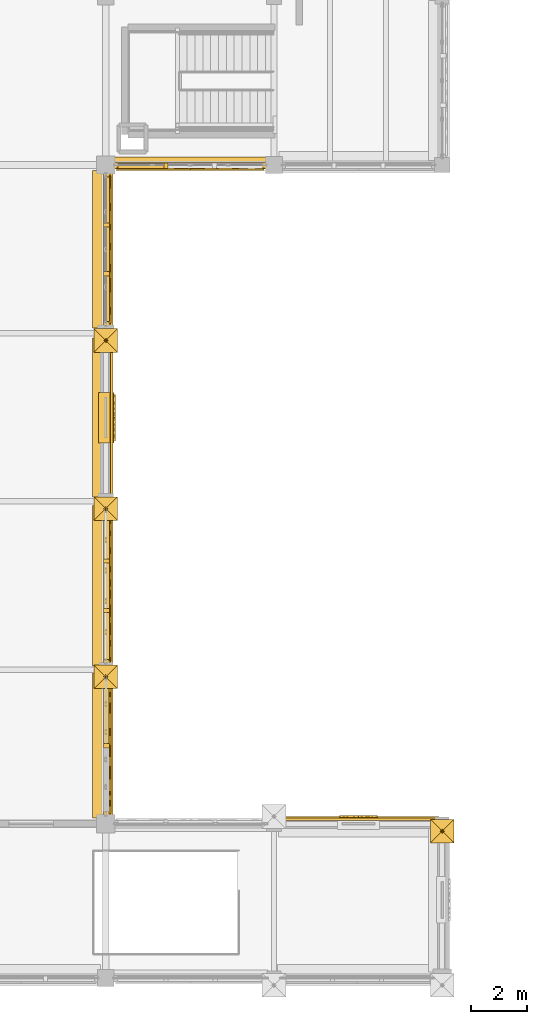
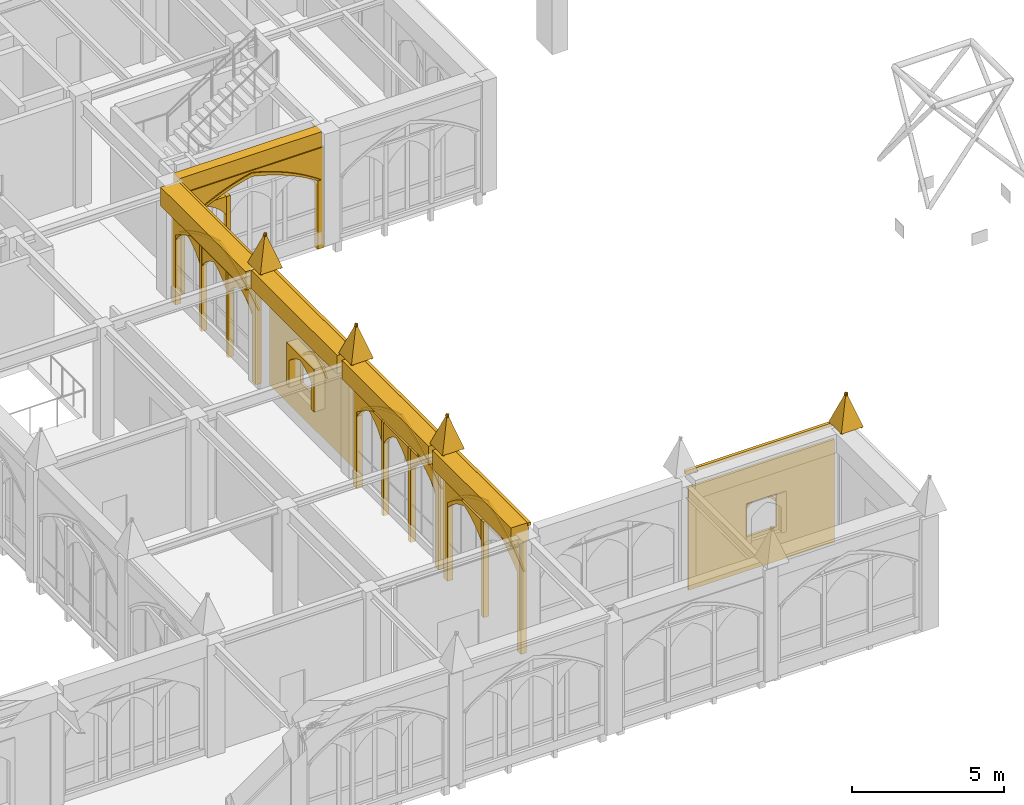
# One storey, part 126 of 143: 53 coverings.
"""IFC4 building model written with IfcOpenShell, lengths in metres."""

from ifc_helpers import new_model, si_unit, direction, frame, origin, origin_2d, place, context, subcontext, project, spatial, polyline, rectangle, outline, extrude, material, type_object, element, save


model = new_model("IFC4")

# Units and contexts
model_context = context("Model", 3, precision=1e-05, world=origin(), true_north=direction((0.0, 1.0)))
body_context = subcontext(model_context, "Body", "Model", "MODEL_VIEW")
ifc_project = project(units=[si_unit("LENGTHUNIT", "METRE"), si_unit("AREAUNIT", "SQUARE_METRE"), si_unit("VOLUMEUNIT", "CUBIC_METRE"), si_unit("PLANEANGLEUNIT", "RADIAN"), si_unit("MASSUNIT", "GRAM", prefix="KILO")], contexts=[model_context])

# Site, building, storey
site_placement = place(None, origin())
site = spatial("IfcSite", under=ifc_project, at=site_placement, CompositionType="ELEMENT")
building_placement = place(site_placement, origin())
building = spatial("IfcBuilding", under=site, at=building_placement, Name="Cumevento Cable Car Station", CompositionType="ELEMENT")
storey_placement = place(building_placement, frame((0.0, 0.0, 9.0)))
storey = spatial("IfcBuildingStorey", under=building, at=storey_placement, Name="L03", CompositionType="ELEMENT", Elevation=9.0)

# Coverings
ifc_material = material(Name="Gnaisse Facoidal Stone Ashlar 85 MPa", Category="masonry")
covering_type = type_object("IfcCoveringType", Name="Gnaisse Ashlar Cladding CV-CL01", PredefinedType="CLADDING", material=ifc_material)
for number, where, z_axis, x_axis, name in (
    (1, (69.580078125, 15.159912109375, 4.8701171875), (0.0, 0.951573760476, 0.30742052367), (1.0, 0.0, 0.0), "Gothic Buttress Pinnacle Spire Facet 1 bt:70.0:15.0"),
    (2, (70.419921875, 15.159912109375, 4.8701171875), (0.951573760476, 0.0, 0.30742052367), (0.0, -1.0, 0.0), "Gothic Buttress Pinnacle Spire Facet 2 bt:70.0:15.0"),
    (3, (70.419921875, 14.320068359375, 4.8701171875), (0.0, -0.951573760476, 0.30742052367), (-1.0, 0.0, 0.0), "Gothic Buttress Pinnacle Spire Facet 3 bt:70.0:15.0"),
    (4, (69.580078125, 14.320068359375, 4.8701171875), (-0.951573760476, 0.0, 0.30742052367), (0.0, 1.0, 0.0), "Gothic Buttress Pinnacle Spire Facet 4 bt:70.0:15.0"),
    (5, (69.580078125, 21.159912109375, 4.8701171875), (0.0, 0.951573760476, 0.30742052367), (1.0, 0.0, 0.0), "Gothic Buttress Pinnacle Spire Facet 1 bt:70.0:21.0"),
    (6, (70.419921875, 21.159912109375, 4.8701171875), (0.951573760476, 0.0, 0.30742052367), (0.0, -1.0, 0.0), "Gothic Buttress Pinnacle Spire Facet 2 bt:70.0:21.0"),
    (7, (70.419921875, 20.320068359375, 4.8701171875), (0.0, -0.951573760476, 0.30742052367), (-1.0, 0.0, 0.0), "Gothic Buttress Pinnacle Spire Facet 3 bt:70.0:21.0"),
    (8, (69.580078125, 20.320068359375, 4.8701171875), (-0.951573760476, 0.0, 0.30742052367), (0.0, 1.0, 0.0), "Gothic Buttress Pinnacle Spire Facet 4 bt:70.0:21.0"),
    (9, (69.580078125, 27.159912109375, 4.8701171875), (0.0, 0.951573760476, 0.30742052367), (1.0, 0.0, 0.0), "Gothic Buttress Pinnacle Spire Facet 1 bt:70.0:27.0"),
    (10, (70.419921875, 27.159912109375, 4.8701171875), (0.951573760476, 0.0, 0.30742052367), (0.0, -1.0, 0.0), "Gothic Buttress Pinnacle Spire Facet 2 bt:70.0:27.0"),
    (11, (70.419921875, 26.320068359375, 4.8701171875), (0.0, -0.951573760476, 0.30742052367), (-1.0, 0.0, 0.0), "Gothic Buttress Pinnacle Spire Facet 3 bt:70.0:27.0"),
    (12, (69.580078125, 26.320068359375, 4.8701171875), (-0.951573760476, 0.0, 0.30742052367), (0.0, 1.0, 0.0), "Gothic Buttress Pinnacle Spire Facet 4 bt:70.0:27.0"),
    (13, (81.580078125, 9.659912109375, 4.8701171875), (0.0, 0.951573760476, 0.30742052367), (1.0, 0.0, 0.0), "Gothic Buttress Pinnacle Spire Facet 1 bt:82.0:9.5"),
    (14, (82.419921875, 9.659912109375, 4.8701171875), (0.951573760476, 0.0, 0.30742052367), (0.0, -1.0, 0.0), "Gothic Buttress Pinnacle Spire Facet 2 bt:82.0:9.5"),
    (15, (82.419921875, 8.820068359375, 4.8701171875), (0.0, -0.951573760476, 0.30742052367), (-1.0, 0.0, 0.0), "Gothic Buttress Pinnacle Spire Facet 3 bt:82.0:9.5"),
    (16, (81.580078125, 8.820068359375, 4.8701171875), (-0.951573760476, 0.0, 0.30742052367), (0.0, 1.0, 0.0), "Gothic Buttress Pinnacle Spire Facet 4 bt:82.0:9.5"),
):
    element("IfcCovering", number, at=place(storey_placement, frame(where, z_axis=z_axis, x_axis=x_axis)), inside=storey, type_object=covering_type, Name=name, PredefinedType="CLADDING", context=body_context, shape_type="SweptSolid", body=[
        extrude(outline(polyline([(0.0, 0.0), (0.83984375, 0.0), (0.419921875, -1.3659526370817139), (0.0, 0.0)])), origin(), (0.0, 0.0, -1.0), 0.0849609375),
    ])
covering_1_placement = place(storey_placement, frame((79.012451171875, 9.70751953125, 4.650146484375), z_axis=(0.0, 0.0, 1.0), x_axis=(1.0, 0.0, 0.0)))
element("IfcCovering", 17, at=covering_1_placement, inside=storey, type_object=covering_type, Name="Gothic Cornice Dripstone Lip sc:0600", PredefinedType="CLADDING", context=body_context, shape_type="SweptSolid", body=[
    extrude(rectangle(XDim=5.7548828125, YDim=0.114990234375, at=origin_2d()), origin(), (0.0, 0.0, 1.0), 0.1298828125),
])
covering_2_placement = place(storey_placement, frame((69.85009765625, 12.28759765625, 4.032958984375), z_axis=(0.0, 0.0, 1.0), x_axis=(0.0, -1.0, 0.0)))
element("IfcCovering", 18, at=covering_2_placement, inside=storey, type_object=covering_type, Name="Gothic Stone Spandrel Stringcourse sc:0607", PredefinedType="CLADDING", context=body_context, shape_type="SweptSolid", body=[
    extrude(rectangle(XDim=5.1650390625, YDim=0.659912109375, at=origin_2d()), origin(), (0.0, 0.0, 1.0), 0.7470703125),
])
covering_3_placement = place(storey_placement, frame((70.20751953125, 12.28759765625, 4.650146484375), z_axis=(0.0, 0.0, 1.0), x_axis=(0.0, -1.0, 0.0)))
element("IfcCovering", 19, at=covering_3_placement, inside=storey, type_object=covering_type, Name="Gothic Cornice Dripstone Lip sc:0607", PredefinedType="CLADDING", context=body_context, shape_type="SweptSolid", body=[
    extrude(rectangle(XDim=5.205078125, YDim=0.114990234375, at=origin_2d()), origin(), (0.0, 0.0, 1.0), 0.1298828125),
])
covering_4_placement = place(storey_placement, frame((69.85009765625, 17.987548828125, 4.032958984375), z_axis=(0.0, 0.0, 1.0), x_axis=(0.0, -1.0, 0.0)))
element("IfcCovering", 20, at=covering_4_placement, inside=storey, type_object=covering_type, Name="Gothic Stone Spandrel Stringcourse sc:0608", PredefinedType="CLADDING", context=body_context, shape_type="SweptSolid", body=[
    extrude(rectangle(XDim=5.715087890625, YDim=0.659912109375, at=origin_2d()), origin(), (0.0, 0.0, 1.0), 0.7470703125),
])
covering_5_placement = place(storey_placement, frame((70.20751953125, 17.987548828125, 4.650146484375), z_axis=(0.0, 0.0, 1.0), x_axis=(0.0, -1.0, 0.0)))
element("IfcCovering", 21, at=covering_5_placement, inside=storey, type_object=covering_type, Name="Gothic Cornice Dripstone Lip sc:0608", PredefinedType="CLADDING", context=body_context, shape_type="SweptSolid", body=[
    extrude(rectangle(XDim=5.7548828125, YDim=0.114990234375, at=origin_2d()), origin(), (0.0, 0.0, 1.0), 0.1298828125),
])
covering_6_placement = place(storey_placement, frame((69.85009765625, 23.987548828125, 4.032958984375), z_axis=(0.0, 0.0, 1.0), x_axis=(0.0, -1.0, 0.0)))
element("IfcCovering", 22, at=covering_6_placement, inside=storey, type_object=covering_type, Name="Gothic Stone Spandrel Stringcourse sc:0609", PredefinedType="CLADDING", context=body_context, shape_type="SweptSolid", body=[
    extrude(rectangle(XDim=5.6650390625, YDim=0.659912109375, at=origin_2d()), origin(), (0.0, 0.0, 1.0), 0.7470703125),
])
covering_7_placement = place(storey_placement, frame((70.20751953125, 23.987548828125, 4.650146484375), z_axis=(0.0, 0.0, 1.0), x_axis=(0.0, -1.0, 0.0)))
element("IfcCovering", 23, at=covering_7_placement, inside=storey, type_object=covering_type, Name="Gothic Cornice Dripstone Lip sc:0609", PredefinedType="CLADDING", context=body_context, shape_type="SweptSolid", body=[
    extrude(rectangle(XDim=5.705078125, YDim=0.114990234375, at=origin_2d()), origin(), (0.0, 0.0, 1.0), 0.1298828125),
])
covering_8_placement = place(storey_placement, frame((69.85009765625, 29.987548828125, 3.7490234375), z_axis=(0.0, 0.0, 1.0), x_axis=(0.0, -1.0, 0.0)))
element("IfcCovering", 24, at=covering_8_placement, inside=storey, type_object=covering_type, Name="Gothic Stone Spandrel Stringcourse sc:0610", PredefinedType="CLADDING", context=body_context, shape_type="SweptSolid", body=[
    extrude(rectangle(XDim=5.614990234375, YDim=0.659912109375, at=origin_2d()), origin(), (0.0, 0.0, 1.0), 0.7470703125),
])
covering_9_placement = place(storey_placement, frame((70.20751953125, 29.987548828125, 4.365966796875), z_axis=(0.0, 0.0, 1.0), x_axis=(0.0, -1.0, 0.0)))
element("IfcCovering", 25, at=covering_9_placement, inside=storey, type_object=covering_type, Name="Gothic Cornice Dripstone Lip sc:0610", PredefinedType="CLADDING", context=body_context, shape_type="SweptSolid", body=[
    extrude(rectangle(XDim=5.655029296875, YDim=0.114990234375, at=origin_2d()), origin(), (0.0, 0.0, 1.0), 0.1298828125),
])
covering_10_placement = place(storey_placement, frame((73.012451171875, 33.090087890625, 3.7490234375), z_axis=(0.0, 0.0, 1.0), x_axis=(-1.0, 0.0, 0.0)))
element("IfcCovering", 26, at=covering_10_placement, inside=storey, type_object=covering_type, Name="Gothic Stone Spandrel Stringcourse sc:0612", PredefinedType="CLADDING", context=body_context, shape_type="SweptSolid", body=[
    extrude(rectangle(XDim=5.43505859375, YDim=0.3798828125, at=origin_2d()), origin(), (0.0, 0.0, 1.0), 0.7470703125),
])
placement_1 = place(storey_placement, frame((70.0, 14.75, -0.469970703125), z_axis=(0.0, 0.0, 1.0), x_axis=(0.0, -1.0, 0.0)))
element("IfcCovering", 27, at=placement_1, inside=storey, type_object=covering_type, Name="Gothic Ogival Pointed-Arch Stone Spandrel cw_ogival:0081", PredefinedType="CLADDING", context=body_context, shape_type="SweptSolid", body=[
    extrude(outline(polyline([(-0.080078125, 0.0), (-0.080078125, 4.64306640625), (5.0048828125, 4.64306640625), (5.0048828125, 0.0), (4.764892578125, 0.0), (4.764892578125, 3.1650390625), (4.513427734375, 3.381591796875), (4.24951171875, 3.583251953125), (3.97412109375, 3.769287109375), (3.6884765625, 3.938720703125), (3.3935546875, 4.09130859375), (3.09033203125, 4.2265625), (2.779541015625, 4.343994140625), (2.46240234375, 4.44287109375), (2.1455078125, 4.343994140625), (1.834716796875, 4.2265625), (1.531494140625, 4.09130859375), (1.236572265625, 3.938720703125), (0.950927734375, 3.769287109375), (0.675537109375, 3.583251953125), (0.41162109375, 3.381591796875), (0.159912109375, 3.1650390625), (0.159912109375, 0.0), (-0.080078125, 0.0)])), frame((0.0, 0.139892578125, 0.0), z_axis=(0.0, -1.0, 0.0), x_axis=(1.0, 0.0, 0.0)), (0.0, 0.0, 1.0), 0.219970703125),
])
covering_12_placement = place(storey_placement, frame((70.0, 14.75, 2.695068359375), z_axis=(0.0, 0.0, 1.0), x_axis=(0.0, -1.0, 0.0)))
element("IfcCovering", 28, at=covering_12_placement, inside=storey, type_object=covering_type, Name="Gothic Pointed Archivolt Hood Moulding cw_ogival:0081", PredefinedType="CLADDING", context=body_context, shape_type="SweptSolid", body=[
    extrude(outline(polyline([(0.159912109375, 0.0), (0.41162109375, 0.216552734375), (0.675537109375, 0.418212890625), (0.950927734375, 0.604248046875), (1.236572265625, 0.773681640625), (1.531494140625, 0.92626953125), (1.834716796875, 1.0615234375), (2.1455078125, 1.178955078125), (2.46240234375, 1.27783203125), (2.779541015625, 1.178955078125), (3.09033203125, 1.0615234375), (3.3935546875, 0.92626953125), (3.6884765625, 0.773681640625), (3.97412109375, 0.604248046875), (4.24951171875, 0.418212890625), (4.513427734375, 0.216552734375), (4.764892578125, 0.0), (4.875, 0.0), (4.615234375, 0.2392578125), (4.341552734375, 0.4619140625), (4.054443359375, 0.667724609375), (3.755615234375, 0.855712890625), (3.44580078125, 1.02490234375), (3.126220703125, 1.175048828125), (2.798095703125, 1.305419921875), (2.46240234375, 1.415283203125), (2.126953125, 1.305419921875), (1.798828125, 1.175048828125), (1.479248046875, 1.02490234375), (1.16943359375, 0.855712890625), (0.87060546875, 0.667724609375), (0.58349609375, 0.4619140625), (0.309814453125, 0.2392578125), (0.050048828125, 0.0), (0.159912109375, 0.0)])), frame((0.0, 0.181884765625, 0.0), z_axis=(0.0, -1.0, 0.0), x_axis=(1.0, 0.0, 0.0)), (0.0, 0.0, 1.0), 0.06689453125),
])
element("IfcCovering", 29, at=placement_1, inside=storey, type_object=covering_type, Name="Gothic Bifora Stone Colonnette cw_ogival:0081 #1", PredefinedType="CLADDING", context=body_context, shape_type="SweptSolid", body=[
    extrude(outline(polyline([(2.387451171875, -0.02001953125), (2.53759765625, -0.02001953125), (2.53759765625, 3.82958984375), (2.387451171875, 3.82958984375), (2.387451171875, -0.02001953125)])), frame((0.0, 0.1279296875, 0.0), z_axis=(0.0, -1.0, 0.0), x_axis=(1.0, 0.0, 0.0)), (0.0, 0.0, 1.0), 0.205078125),
])
covering_14_placement = place(storey_placement, frame((70.0, 14.6201171875, 2.51513671875), z_axis=(0.0, 0.0, 1.0), x_axis=(0.0, -1.0, 0.0)))
element("IfcCovering", 30, at=covering_14_placement, inside=storey, type_object=covering_type, Name="Gothic Ogival Pointed-Arch Stone Spandrel cw_ogival:0081:sub:0", PredefinedType="CLADDING", context=body_context, shape_type="SweptSolid", body=[
    extrude(outline(polyline([(-0.02001953125, 0.0), (-0.02001953125, 0.844482421875), (2.3076171875, 0.844482421875), (2.3076171875, 0.0), (2.24755859375, 0.0), (2.093017578125, 0.16015625), (1.9248046875, 0.30615234375), (1.744384765625, 0.4365234375), (1.552978515625, 0.55029296875), (1.352294921875, 0.646484375), (1.143798828125, 0.724609375), (0.935302734375, 0.646484375), (0.734619140625, 0.55029296875), (0.543212890625, 0.4365234375), (0.36279296875, 0.30615234375), (0.194580078125, 0.16015625), (0.0400390625, 0.0), (-0.02001953125, 0.0)])), frame((0.0, 0.1240234375, 0.0), z_axis=(0.0, -1.0, 0.0), x_axis=(1.0, 0.0, 0.0)), (0.0, 0.0, 1.0), 0.199951171875),
])
placement_2 = place(storey_placement, frame((70.0, 20.72509765625, -0.3701171875), z_axis=(0.0, 0.0, 1.0), x_axis=(0.0, -1.0, 0.0)))
element("IfcCovering", 31, at=placement_2, inside=storey, type_object=covering_type, Name="Gothic Ogival Pointed-Arch Stone Spandrel cw_ogival:0083", PredefinedType="CLADDING", context=body_context, shape_type="SweptSolid", body=[
    extrude(outline(polyline([(-0.080078125, 0.0), (-0.080078125, 4.54296875), (5.554931640625, 4.54296875), (5.554931640625, 0.0), (5.31494140625, 0.0), (5.31494140625, 3.10107421875), (5.02392578125, 3.313232421875), (4.722412109375, 3.510009765625), (4.4111328125, 3.69091796875), (4.0908203125, 3.85546875), (3.76220703125, 4.00341796875), (3.4267578125, 4.13427734375), (3.0849609375, 4.24755859375), (2.737548828125, 4.343017578125), (2.39013671875, 4.24755859375), (2.04833984375, 4.13427734375), (1.712890625, 4.00341796875), (1.38427734375, 3.85546875), (1.06396484375, 3.69091796875), (0.752685546875, 3.510009765625), (0.451171875, 3.313232421875), (0.159912109375, 3.10107421875), (0.159912109375, 0.0), (-0.080078125, 0.0)])), frame((0.0, 0.139892578125, 0.0), z_axis=(0.0, -1.0, 0.0), x_axis=(1.0, 0.0, 0.0)), (0.0, 0.0, 1.0), 0.219970703125),
])
covering_16_placement = place(storey_placement, frame((70.0, 20.72509765625, 2.731201171875), z_axis=(0.0, 0.0, 1.0), x_axis=(0.0, -1.0, 0.0)))
element("IfcCovering", 32, at=covering_16_placement, inside=storey, type_object=covering_type, Name="Gothic Pointed Archivolt Hood Moulding cw_ogival:0083", PredefinedType="CLADDING", context=body_context, shape_type="SweptSolid", body=[
    extrude(outline(polyline([(0.159912109375, 0.0), (0.451171875, 0.212158203125), (0.752685546875, 0.408935546875), (1.06396484375, 0.58984375), (1.38427734375, 0.75439453125), (1.712890625, 0.90234375), (2.04833984375, 1.033203125), (2.39013671875, 1.146484375), (2.737548828125, 1.241943359375), (3.0849609375, 1.146484375), (3.4267578125, 1.033203125), (3.76220703125, 0.90234375), (4.0908203125, 0.75439453125), (4.4111328125, 0.58984375), (4.722412109375, 0.408935546875), (5.02392578125, 0.212158203125), (5.31494140625, 0.0), (5.425048828125, 0.0), (5.125732421875, 0.23486328125), (4.813720703125, 0.453125), (4.490478515625, 0.65380859375), (4.156982421875, 0.8369140625), (3.813720703125, 1.001220703125), (3.462158203125, 1.14697265625), (3.10302734375, 1.27294921875), (2.737548828125, 1.37939453125), (2.3720703125, 1.27294921875), (2.012939453125, 1.14697265625), (1.661376953125, 1.001220703125), (1.318115234375, 0.8369140625), (0.984619140625, 0.65380859375), (0.661376953125, 0.453125), (0.349365234375, 0.23486328125), (0.050048828125, 0.0), (0.159912109375, 0.0)])), frame((0.0, 0.181884765625, 0.0), z_axis=(0.0, -1.0, 0.0), x_axis=(1.0, 0.0, 0.0)), (0.0, 0.0, 1.0), 0.06689453125),
])
element("IfcCovering", 33, at=placement_2, inside=storey, type_object=covering_type, Name="Gothic Bifora Stone Colonnette cw_ogival:0083 #1", PredefinedType="CLADDING", context=body_context, shape_type="SweptSolid", body=[
    extrude(outline(polyline([(1.7783203125, -0.02001953125), (1.92822265625, -0.02001953125), (1.92822265625, 3.746826171875), (1.7783203125, 3.746826171875), (1.7783203125, -0.02001953125)])), frame((0.0, 0.1279296875, 0.0), z_axis=(0.0, -1.0, 0.0), x_axis=(1.0, 0.0, 0.0)), (0.0, 0.0, 1.0), 0.205078125),
])
element("IfcCovering", 34, at=placement_2, inside=storey, type_object=covering_type, Name="Gothic Bifora Stone Colonnette cw_ogival:0083 #2", PredefinedType="CLADDING", context=body_context, shape_type="SweptSolid", body=[
    extrude(outline(polyline([(3.546630859375, -0.02001953125), (3.69677734375, -0.02001953125), (3.69677734375, 3.746826171875), (3.546630859375, 3.746826171875), (3.546630859375, -0.02001953125)])), frame((0.0, 0.1279296875, 0.0), z_axis=(0.0, -1.0, 0.0), x_axis=(1.0, 0.0, 0.0)), (0.0, 0.0, 1.0), 0.205078125),
])
for number, where, z_axis, x_axis, name in (
    (35, (70.0, 20.594970703125, 2.551025390625), (0.0, 0.0, 1.0), (0.0, -1.0, 0.0), "Gothic Ogival Pointed-Arch Stone Spandrel cw_ogival:0083:sub:0"),
    (36, (70.0, 18.82666015625, 2.551025390625), (0.0, 0.0, 1.0), (0.0, -1.0, 0.0), "Gothic Ogival Pointed-Arch Stone Spandrel cw_ogival:0083:sub:1"),
    (37, (70.0, 17.058349609375, 2.551025390625), (0.0, 0.0, 1.0), (0.0, -1.0, 0.0), "Gothic Ogival Pointed-Arch Stone Spandrel cw_ogival:0083:sub:2"),
):
    element("IfcCovering", number, at=place(storey_placement, frame(where, z_axis=z_axis, x_axis=x_axis)), inside=storey, type_object=covering_type, Name=name, PredefinedType="CLADDING", context=body_context, shape_type="SweptSolid", body=[
        extrude(outline(polyline([(-0.02001953125, 0.0), (-0.02001953125, 0.82568359375), (1.6982421875, 0.82568359375), (1.6982421875, 0.0), (1.638427734375, 0.0), (1.54052734375, 0.15234375), (1.4267578125, 0.29296875), (1.2978515625, 0.419921875), (1.15576171875, 0.531982421875), (1.002197265625, 0.627685546875), (0.839111328125, 0.705810546875), (0.676025390625, 0.627685546875), (0.5224609375, 0.531982421875), (0.38037109375, 0.419921875), (0.25146484375, 0.29296875), (0.1376953125, 0.15234375), (0.0400390625, 0.0), (-0.02001953125, 0.0)])), frame((0.0, 0.1240234375, 0.0), z_axis=(0.0, -1.0, 0.0), x_axis=(1.0, 0.0, 0.0)), (0.0, 0.0, 1.0), 0.199951171875),
    ])
placement_3 = place(storey_placement, frame((70.0, 32.675048828125, -0.219970703125), z_axis=(0.0, 0.0, 1.0), x_axis=(0.0, -1.0, 0.0)))
element("IfcCovering", 38, at=placement_3, inside=storey, type_object=covering_type, Name="Gothic Ogival Pointed-Arch Stone Spandrel cw_ogival:0086", PredefinedType="CLADDING", context=body_context, shape_type="SweptSolid", body=[
    extrude(outline(polyline([(-0.080078125, 0.0), (-0.080078125, 4.10888671875), (5.455078125, 4.10888671875), (5.455078125, 0.0), (5.215087890625, 0.0), (5.215087890625, 2.823486328125), (4.923583984375, 3.009765625), (4.6240234375, 3.182373046875), (4.31640625, 3.340576171875), (4.001953125, 3.484619140625), (3.68115234375, 3.61328125), (3.354736328125, 3.7275390625), (3.023193359375, 3.826171875), (2.6875, 3.9091796875), (2.351806640625, 3.826171875), (2.020263671875, 3.7275390625), (1.69384765625, 3.61328125), (1.373046875, 3.484619140625), (1.05859375, 3.340576171875), (0.7509765625, 3.182373046875), (0.451416015625, 3.009765625), (0.159912109375, 2.823486328125), (0.159912109375, 0.0), (-0.080078125, 0.0)])), frame((0.0, 0.139892578125, 0.0), z_axis=(0.0, -1.0, 0.0), x_axis=(1.0, 0.0, 0.0)), (0.0, 0.0, 1.0), 0.219970703125),
])
covering_20_placement = place(storey_placement, frame((70.0, 32.675048828125, 2.603515625), z_axis=(0.0, 0.0, 1.0), x_axis=(0.0, -1.0, 0.0)))
element("IfcCovering", 39, at=covering_20_placement, inside=storey, type_object=covering_type, Name="Gothic Pointed Archivolt Hood Moulding cw_ogival:0086", PredefinedType="CLADDING", context=body_context, shape_type="SweptSolid", body=[
    extrude(outline(polyline([(0.159912109375, 0.0), (0.451416015625, 0.186279296875), (0.7509765625, 0.35888671875), (1.05859375, 0.51708984375), (1.373046875, 0.6611328125), (1.69384765625, 0.7900390625), (2.020263671875, 0.904052734375), (2.351806640625, 1.002685546875), (2.6875, 1.085693359375), (3.023193359375, 1.002685546875), (3.354736328125, 0.904052734375), (3.68115234375, 0.7900390625), (4.001953125, 0.6611328125), (4.31640625, 0.51708984375), (4.6240234375, 0.35888671875), (4.923583984375, 0.186279296875), (5.215087890625, 0.0), (5.324951171875, 0.0), (5.02490234375, 0.209228515625), (4.71484375, 0.4033203125), (4.3955078125, 0.58154296875), (4.067626953125, 0.74365234375), (3.73193359375, 0.88916015625), (3.389404296875, 1.017822265625), (3.041015625, 1.129150390625), (2.6875, 1.22314453125), (2.333984375, 1.129150390625), (1.985595703125, 1.017822265625), (1.64306640625, 0.88916015625), (1.307373046875, 0.74365234375), (0.9794921875, 0.58154296875), (0.66015625, 0.4033203125), (0.35009765625, 0.209228515625), (0.050048828125, 0.0), (0.159912109375, 0.0)])), frame((0.0, 0.181884765625, 0.0), z_axis=(0.0, -1.0, 0.0), x_axis=(1.0, 0.0, 0.0)), (0.0, 0.0, 1.0), 0.06689453125),
])
element("IfcCovering", 40, at=placement_3, inside=storey, type_object=covering_type, Name="Gothic Bifora Stone Colonnette cw_ogival:0086 #1", PredefinedType="CLADDING", context=body_context, shape_type="SweptSolid", body=[
    extrude(outline(polyline([(1.7451171875, -0.02001953125), (1.89501953125, -0.02001953125), (1.89501953125, 3.387939453125), (1.7451171875, 3.387939453125), (1.7451171875, -0.02001953125)])), frame((0.0, 0.1279296875, 0.0), z_axis=(0.0, -1.0, 0.0), x_axis=(1.0, 0.0, 0.0)), (0.0, 0.0, 1.0), 0.205078125),
])
element("IfcCovering", 41, at=placement_3, inside=storey, type_object=covering_type, Name="Gothic Bifora Stone Colonnette cw_ogival:0086 #2", PredefinedType="CLADDING", context=body_context, shape_type="SweptSolid", body=[
    extrude(outline(polyline([(3.47998046875, -0.02001953125), (3.6298828125, -0.02001953125), (3.6298828125, 3.387939453125), (3.47998046875, 3.387939453125), (3.47998046875, -0.02001953125)])), frame((0.0, 0.1279296875, 0.0), z_axis=(0.0, -1.0, 0.0), x_axis=(1.0, 0.0, 0.0)), (0.0, 0.0, 1.0), 0.205078125),
])
for number, where, z_axis, x_axis, name in (
    (42, (70.0, 32.544921875, 2.42333984375), (0.0, 0.0, 1.0), (0.0, -1.0, 0.0), "Gothic Ogival Pointed-Arch Stone Spandrel cw_ogival:0086:sub:0"),
    (43, (70.0, 30.81005859375, 2.42333984375), (0.0, 0.0, 1.0), (0.0, -1.0, 0.0), "Gothic Ogival Pointed-Arch Stone Spandrel cw_ogival:0086:sub:1"),
    (44, (70.0, 29.074951171875, 2.42333984375), (0.0, 0.0, 1.0), (0.0, -1.0, 0.0), "Gothic Ogival Pointed-Arch Stone Spandrel cw_ogival:0086:sub:2"),
):
    element("IfcCovering", number, at=place(storey_placement, frame(where, z_axis=z_axis, x_axis=x_axis)), inside=storey, type_object=covering_type, Name=name, PredefinedType="CLADDING", context=body_context, shape_type="SweptSolid", body=[
        extrude(outline(polyline([(-0.02001953125, 0.0), (-0.02001953125, 0.744384765625), (1.6650390625, 0.744384765625), (1.6650390625, 0.0), (1.60498046875, 0.0), (1.50390625, 0.135986328125), (1.389404296875, 0.260986328125), (1.262451171875, 0.373291015625), (1.124755859375, 0.47216796875), (0.9775390625, 0.55615234375), (0.822509765625, 0.62451171875), (0.66748046875, 0.55615234375), (0.520263671875, 0.47216796875), (0.382568359375, 0.373291015625), (0.255615234375, 0.260986328125), (0.14111328125, 0.135986328125), (0.0400390625, 0.0), (-0.02001953125, 0.0)])), frame((0.0, 0.1240234375, 0.0), z_axis=(0.0, -1.0, 0.0), x_axis=(1.0, 0.0, 0.0)), (0.0, 0.0, 1.0), 0.199951171875),
    ])
placement_4 = place(storey_placement, frame((75.699951171875, 33.0, -0.159912109375), z_axis=(0.0, 0.0, 1.0), x_axis=(-1.0, 0.0, 0.0)))
element("IfcCovering", 45, at=placement_4, inside=storey, type_object=covering_type, Name="Gothic Ogival Pointed-Arch Stone Spandrel cw_ogival:0087", PredefinedType="CLADDING", context=body_context, shape_type="SweptSolid", body=[
    extrude(outline(polyline([(-0.080078125, 0.0), (-0.080078125, 4.049072265625), (5.455078125, 4.049072265625), (5.455078125, 0.0), (5.215087890625, 0.0), (5.215087890625, 2.784912109375), (4.9228515625, 2.968017578125), (4.622314453125, 3.13671875), (4.314697265625, 3.2919921875), (4.000244140625, 3.43310546875), (3.679443359375, 3.559814453125), (3.353271484375, 3.671142578125), (3.0224609375, 3.767578125), (2.6875, 3.84912109375), (2.3525390625, 3.767578125), (2.021728515625, 3.671142578125), (1.695556640625, 3.559814453125), (1.374755859375, 3.43310546875), (1.060302734375, 3.2919921875), (0.752685546875, 3.13671875), (0.4521484375, 2.968017578125), (0.159912109375, 2.784912109375), (0.159912109375, 0.0), (-0.080078125, 0.0)])), frame((0.0, 0.139892578125, 0.0), z_axis=(0.0, -1.0, 0.0), x_axis=(1.0, 0.0, 0.0)), (0.0, 0.0, 1.0), 0.219970703125),
])
covering_24_placement = place(storey_placement, frame((75.699951171875, 33.0, 2.625), z_axis=(0.0, 0.0, 1.0), x_axis=(-1.0, 0.0, 0.0)))
element("IfcCovering", 46, at=covering_24_placement, inside=storey, type_object=covering_type, Name="Gothic Pointed Archivolt Hood Moulding cw_ogival:0087", PredefinedType="CLADDING", context=body_context, shape_type="SweptSolid", body=[
    extrude(outline(polyline([(0.159912109375, 0.0), (0.4521484375, 0.182861328125), (0.752685546875, 0.351806640625), (1.060302734375, 0.507080078125), (1.374755859375, 0.648193359375), (1.695556640625, 0.774658203125), (2.021728515625, 0.88623046875), (2.3525390625, 0.982666015625), (2.6875, 1.06396484375), (3.0224609375, 0.982666015625), (3.353271484375, 0.88623046875), (3.679443359375, 0.774658203125), (4.000244140625, 0.648193359375), (4.314697265625, 0.507080078125), (4.622314453125, 0.351806640625), (4.9228515625, 0.182861328125), (5.215087890625, 0.0), (5.324951171875, 0.0), (5.02392578125, 0.205810546875), (4.713134765625, 0.396484375), (4.3935546875, 0.571533203125), (4.0654296875, 0.730712890625), (3.72998046875, 0.873779296875), (3.38818359375, 1.0), (3.040283203125, 1.109375), (2.6875, 1.201416015625), (2.334716796875, 1.109375), (1.98681640625, 1.0), (1.64501953125, 0.873779296875), (1.3095703125, 0.730712890625), (0.9814453125, 0.571533203125), (0.661865234375, 0.396484375), (0.35107421875, 0.205810546875), (0.050048828125, 0.0), (0.159912109375, 0.0)])), frame((0.0, 0.181884765625, 0.0), z_axis=(0.0, -1.0, 0.0), x_axis=(1.0, 0.0, 0.0)), (0.0, 0.0, 1.0), 0.06689453125),
])
element("IfcCovering", 47, at=placement_4, inside=storey, type_object=covering_type, Name="Gothic Bifora Stone Colonnette cw_ogival:0087 #2", PredefinedType="CLADDING", context=body_context, shape_type="SweptSolid", body=[
    extrude(outline(polyline([(3.47998046875, -0.02001953125), (3.6298828125, -0.02001953125), (3.6298828125, 3.33837890625), (3.47998046875, 3.33837890625), (3.47998046875, -0.02001953125)])), frame((0.0, 0.1279296875, 0.0), z_axis=(0.0, -1.0, 0.0), x_axis=(1.0, 0.0, 0.0)), (0.0, 0.0, 1.0), 0.205078125),
])
covering_26_placement = place(storey_placement, frame((72.10009765625, 33.0, 2.445068359375), z_axis=(0.0, 0.0, 1.0), x_axis=(-1.0, 0.0, 0.0)))
element("IfcCovering", 48, at=covering_26_placement, inside=storey, type_object=covering_type, Name="Gothic Ogival Pointed-Arch Stone Spandrel cw_ogival:0087:sub:2", PredefinedType="CLADDING", context=body_context, shape_type="SweptSolid", body=[
    extrude(outline(polyline([(-0.02001953125, 0.0), (-0.02001953125, 0.7333984375), (1.6650390625, 0.7333984375), (1.6650390625, 0.0), (1.60498046875, 0.0), (1.5029296875, 0.1337890625), (1.387939453125, 0.256591796875), (1.260986328125, 0.366943359375), (1.12353515625, 0.4638671875), (0.976806640625, 0.546142578125), (0.822509765625, 0.61328125), (0.668212890625, 0.546142578125), (0.521484375, 0.4638671875), (0.384033203125, 0.366943359375), (0.257080078125, 0.256591796875), (0.14208984375, 0.1337890625), (0.0400390625, 0.0), (-0.02001953125, 0.0)])), frame((0.0, 0.1240234375, 0.0), z_axis=(0.0, -1.0, 0.0), x_axis=(1.0, 0.0, 0.0)), (0.0, 0.0, 1.0), 0.199951171875),
])
covering_27_placement = place(storey_placement, frame((76.27490234375, 9.5, 0.0), z_axis=(0.0, 0.0, 1.0), x_axis=(1.0, 0.0, 0.0)))
element("IfcCovering", 49, at=covering_27_placement, inside=storey, type_object=covering_type, Name="Exterior Gnaisse Stone Wall Ashlar #229", PredefinedType="CLADDING", context=body_context, shape_type="SweptSolid", body=[
    extrude(outline(polyline([(-0.0400390625, -0.02001953125), (5.514892578125, -0.02001953125), (5.514892578125, 4.113037109375), (-0.0400390625, 4.113037109375), (-0.0400390625, -0.02001953125)]), holes=[polyline([(2.172607421875, 1.360107421875), (3.302490234375, 1.360107421875), (3.302490234375, 2.68994140625), (2.172607421875, 2.68994140625), (2.172607421875, 1.360107421875)])]), frame((0.0, 0.20751953125, 0.0), z_axis=(0.0, -1.0, 0.0), x_axis=(1.0, 0.0, 0.0)), (0.0, 0.0, 1.0), 0.0849609375),
])
covering_28_placement = place(storey_placement, frame((78.297607421875, 9.5, 2.322021484375), z_axis=(0.0, 0.0, 1.0), x_axis=(1.0, 0.0, 0.0)))
element("IfcCovering", 50, at=covering_28_placement, inside=storey, type_object=covering_type, Name="Gothic Pointed Archivolt Hood Moulding op_ogival:0229:1", PredefinedType="CLADDING", context=body_context, shape_type="SweptSolid", body=[
    extrude(outline(polyline([(0.139892578125, 0.0), (0.205810546875, 0.0791015625), (0.278076171875, 0.152587890625), (0.35595703125, 0.2197265625), (0.439453125, 0.2802734375), (0.52734375, 0.333740234375), (0.619384765625, 0.379638671875), (0.715087890625, 0.41796875), (0.810546875, 0.379638671875), (0.902587890625, 0.333740234375), (0.990478515625, 0.2802734375), (1.073974609375, 0.2197265625), (1.15185546875, 0.152587890625), (1.22412109375, 0.0791015625), (1.2900390625, 0.0), (1.388916015625, 0.0), (1.3154296875, 0.1015625), (1.23291015625, 0.1962890625), (1.142578125, 0.283447265625), (1.044677734375, 0.362060546875), (0.940185546875, 0.431640625), (0.830078125, 0.49169921875), (0.715087890625, 0.541748046875), (0.599853515625, 0.49169921875), (0.48974609375, 0.431640625), (0.38525390625, 0.362060546875), (0.287353515625, 0.283447265625), (0.197021484375, 0.1962890625), (0.114501953125, 0.1015625), (0.041015625, 0.0), (0.139892578125, 0.0)])), frame((0.0, 0.28759765625, 0.0), z_axis=(0.0, -1.0, 0.0), x_axis=(1.0, 0.0, 0.0)), (0.0, 0.0, 1.0), 0.06689453125),
])
covering_29_placement = place(storey_placement, frame((70.0, 26.699951171875, 0.0), z_axis=(0.0, 0.0, 1.0), x_axis=(0.0, -1.0, 0.0)))
element("IfcCovering", 51, at=covering_29_placement, inside=storey, type_object=covering_type, Name="Exterior Gnaisse Stone Wall Ashlar #231", PredefinedType="CLADDING", context=body_context, shape_type="SweptSolid", body=[
    extrude(outline(polyline([(-0.0400390625, -0.02001953125), (5.465087890625, -0.02001953125), (5.465087890625, 4.113037109375), (-0.0400390625, 4.113037109375), (-0.0400390625, -0.02001953125)]), holes=[polyline([(1.99755859375, 1.31005859375), (3.427490234375, 1.31005859375), (3.427490234375, 2.739990234375), (1.99755859375, 2.739990234375), (1.99755859375, 1.31005859375)])]), frame((0.0, 0.260009765625, 0.0), z_axis=(0.0, -1.0, 0.0), x_axis=(1.0, 0.0, 0.0)), (0.0, 0.0, 1.0), 0.0849609375),
])
covering_30_placement = place(storey_placement, frame((70.0, 24.8525390625, 1.25), z_axis=(0.0, 0.0, 1.0), x_axis=(0.0, -1.0, 0.0)))
element("IfcCovering", 52, at=covering_30_placement, inside=storey, type_object=covering_type, Name="Gothic Ogival Pointed-Arch Stone Spandrel op_ogival:0231:1", PredefinedType="CLADDING", context=body_context, shape_type="SweptSolid", body=[
    extrude(outline(polyline([(-0.0400390625, 0.0), (-0.0400390625, 1.719970703125), (1.77001953125, 1.719970703125), (1.77001953125, 0.0), (1.590087890625, 0.0), (1.590087890625, 1.093994140625), (1.501708984375, 1.179443359375), (1.407470703125, 1.25830078125), (1.3076171875, 1.330078125), (1.202880859375, 1.39453125), (1.093994140625, 1.451171875), (0.98095703125, 1.499755859375), (0.864990234375, 1.5400390625), (0.7490234375, 1.499755859375), (0.635986328125, 1.451171875), (0.527099609375, 1.39453125), (0.42236328125, 1.330078125), (0.322509765625, 1.25830078125), (0.228271484375, 1.179443359375), (0.139892578125, 1.093994140625), (0.139892578125, 0.0), (-0.0400390625, 0.0)])), frame((0.0, 0.298095703125, 0.0), z_axis=(0.0, -1.0, 0.0), x_axis=(1.0, 0.0, 0.0)), (0.0, 0.0, 1.0), 0.550048828125),
])
covering_31_placement = place(storey_placement, frame((70.0, 24.8525390625, 2.343994140625), z_axis=(0.0, 0.0, 1.0), x_axis=(0.0, -1.0, 0.0)))
element("IfcCovering", 53, at=covering_31_placement, inside=storey, type_object=covering_type, Name="Gothic Pointed Archivolt Hood Moulding op_ogival:0231:1", PredefinedType="CLADDING", context=body_context, shape_type="SweptSolid", body=[
    extrude(outline(polyline([(0.139892578125, 0.0), (0.228271484375, 0.08544921875), (0.322509765625, 0.164306640625), (0.42236328125, 0.236083984375), (0.527099609375, 0.300537109375), (0.635986328125, 0.357177734375), (0.7490234375, 0.40576171875), (0.864990234375, 0.446044921875), (0.98095703125, 0.40576171875), (1.093994140625, 0.357177734375), (1.202880859375, 0.300537109375), (1.3076171875, 0.236083984375), (1.407470703125, 0.164306640625), (1.501708984375, 0.08544921875), (1.590087890625, 0.0), (1.68896484375, 0.0), (1.592529296875, 0.108154296875), (1.488037109375, 0.20849609375), (1.375732421875, 0.30029296875), (1.25634765625, 0.382568359375), (1.131103515625, 0.455322265625), (1.000244140625, 0.517822265625), (0.864990234375, 0.56982421875), (0.729736328125, 0.517822265625), (0.598876953125, 0.455322265625), (0.4736328125, 0.382568359375), (0.354248046875, 0.30029296875), (0.241943359375, 0.20849609375), (0.137451171875, 0.108154296875), (0.041015625, 0.0), (0.139892578125, 0.0)])), frame((0.0, 0.340087890625, 0.0), z_axis=(0.0, -1.0, 0.0), x_axis=(1.0, 0.0, 0.0)), (0.0, 0.0, 1.0), 0.06689453125),
])

save(model, "model.ifc")
